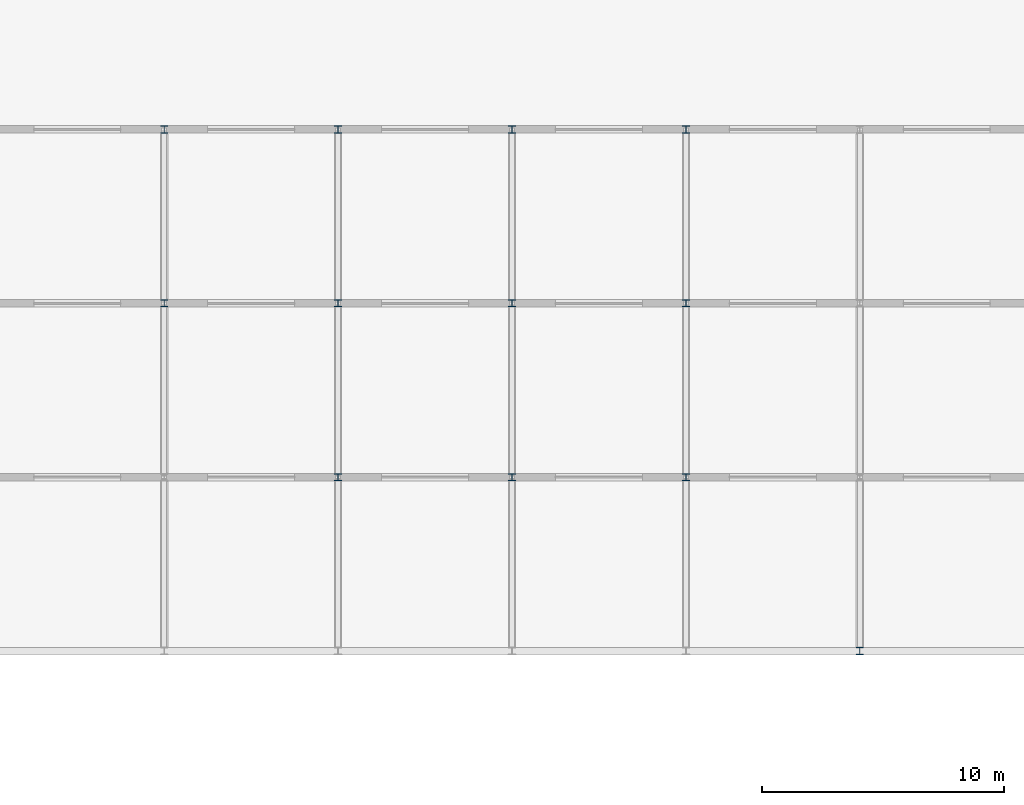
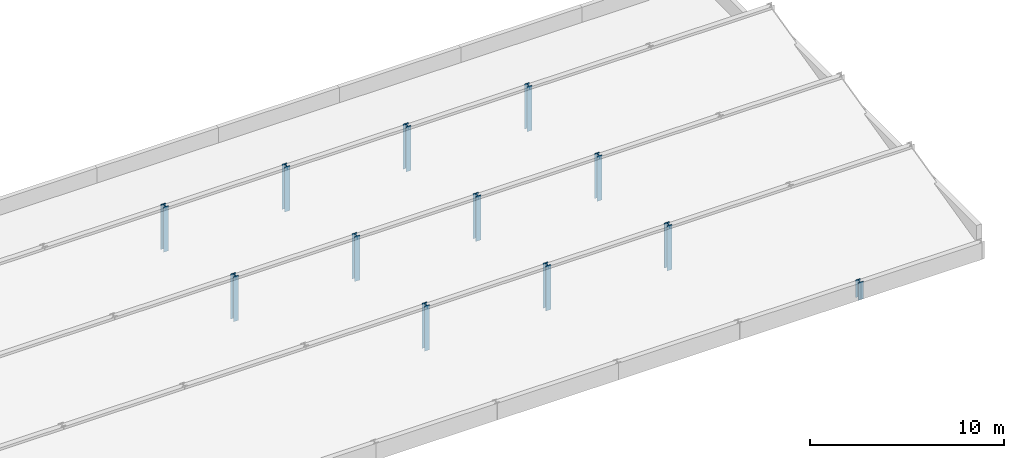
# One storey, part 5 of 19: 12 columns.
"""IFC4 building model written with IfcOpenShell, lengths in metres."""

from ifc_helpers import new_model, si_unit, direction, frame, origin, origin_2d, place, context, subcontext, project, spatial, i_section, extrude, material, material_profile, profile_set, type_object, element, save


model = new_model("IFC4")

# Units and contexts
model_context = context("Model", 3, precision=1e-05, world=origin(), true_north=direction((0.0, 1.0)))
body_context = subcontext(model_context, "Body", "Model", "MODEL_VIEW")
ifc_project = project(units=[si_unit("LENGTHUNIT", "METRE"), si_unit("AREAUNIT", "SQUARE_METRE"), si_unit("VOLUMEUNIT", "CUBIC_METRE"), si_unit("PLANEANGLEUNIT", "RADIAN"), si_unit("MASSUNIT", "GRAM", prefix="KILO")], contexts=[model_context])

# Site, building, storey
site_placement = place(None, origin())
site = spatial("IfcSite", under=ifc_project, at=site_placement, CompositionType="ELEMENT")
building_placement = place(site_placement, origin())
building = spatial("IfcBuilding", under=site, at=building_placement, Name="Thalmaran Polytechnic", CompositionType="ELEMENT")
storey_placement = place(building_placement, frame((0.0, 0.0, 26.699951171875)))
storey = spatial("IfcBuildingStorey", under=building, at=storey_placement, Name="L06", CompositionType="ELEMENT", Elevation=26.699951171875)

# Columns
ifc_material = material(Name="Steel S355", Category="steel")
ifc_material_profile = material_profile(ifc_material, i_section(OverallWidth=0.300048828125, OverallDepth=0.300048828125, WebThickness=0.010986328125, FlangeThickness=0.01904296875, at=origin_2d()), Name="HEB 300")
ifc_profile_set = profile_set([ifc_material_profile], Name="Steel S355")
column_type = type_object("IfcColumnType", Name="COL-SC2", PredefinedType="COLUMN", material=ifc_profile_set)
for number, where, z_axis, x_axis, name in (
    (1, (36.0, 108.0, 0.0), (0.0, 0.0, 1.0), (1.0, 0.0, 0.0), "Library Sawtooth Post G05x15"),
    (2, (36.0, 115.199951171875, 0.0), (0.0, 0.0, 1.0), (1.0, 0.0, 0.0), "Library Sawtooth Post G05x16"),
    (3, (43.199951171875, 100.800048828125, 0.0), (0.0, 0.0, 1.0), (1.0, 0.0, 0.0), "Library Sawtooth Post G06x14"),
    (4, (43.199951171875, 108.0, 0.0), (0.0, 0.0, 1.0), (1.0, 0.0, 0.0), "Library Sawtooth Post G06x15"),
    (5, (43.199951171875, 115.199951171875, 0.0), (0.0, 0.0, 1.0), (1.0, 0.0, 0.0), "Library Sawtooth Post G06x16"),
    (6, (50.39990234375, 100.800048828125, 0.0), (0.0, 0.0, 1.0), (1.0, 0.0, 0.0), "Library Sawtooth Post G07x14"),
    (7, (50.39990234375, 108.0, 0.0), (0.0, 0.0, 1.0), (1.0, 0.0, 0.0), "Library Sawtooth Post G07x15"),
    (8, (50.39990234375, 115.199951171875, 0.0), (0.0, 0.0, 1.0), (1.0, 0.0, 0.0), "Library Sawtooth Post G07x16"),
    (9, (57.60009765625, 100.800048828125, 0.0), (0.0, 0.0, 1.0), (1.0, 0.0, 0.0), "Library Sawtooth Post G08x14"),
    (10, (57.60009765625, 108.0, 0.0), (0.0, 0.0, 1.0), (1.0, 0.0, 0.0), "Library Sawtooth Post G08x15"),
    (11, (57.60009765625, 115.199951171875, 0.0), (0.0, 0.0, 1.0), (1.0, 0.0, 0.0), "Library Sawtooth Post G08x16"),
):
    element("IfcColumn", number, at=place(storey_placement, frame(where, z_axis=z_axis, x_axis=x_axis)), inside=storey, type_object=column_type, Name=name, PredefinedType="COLUMN", context=body_context, shape_type="SweptSolid", body=[
        extrude(i_section(OverallWidth=0.300048828125, OverallDepth=0.300048828125, WebThickness=0.010986328125, FlangeThickness=0.01904296875, at=origin_2d()), origin(), (0.0, 0.0, 1.0), 2.82861328125),
    ])
column_placement = place(storey_placement, frame((64.800048828125, 93.60009765625, 0.0), z_axis=(0.0, 0.0, 1.0), x_axis=(1.0, 0.0, 0.0)))
element("IfcColumn", 12, at=column_placement, inside=storey, type_object=column_type, Name="Library Sawtooth Post G09x13", PredefinedType="COLUMN", context=body_context, shape_type="SweptSolid", body=[
    extrude(i_section(OverallWidth=0.300048828125, OverallDepth=0.300048828125, WebThickness=0.010986328125, FlangeThickness=0.01904296875, at=origin_2d()), origin(), (0.0, 0.0, 1.0), 1.10009765625),
])

save(model, "model.ifc")
